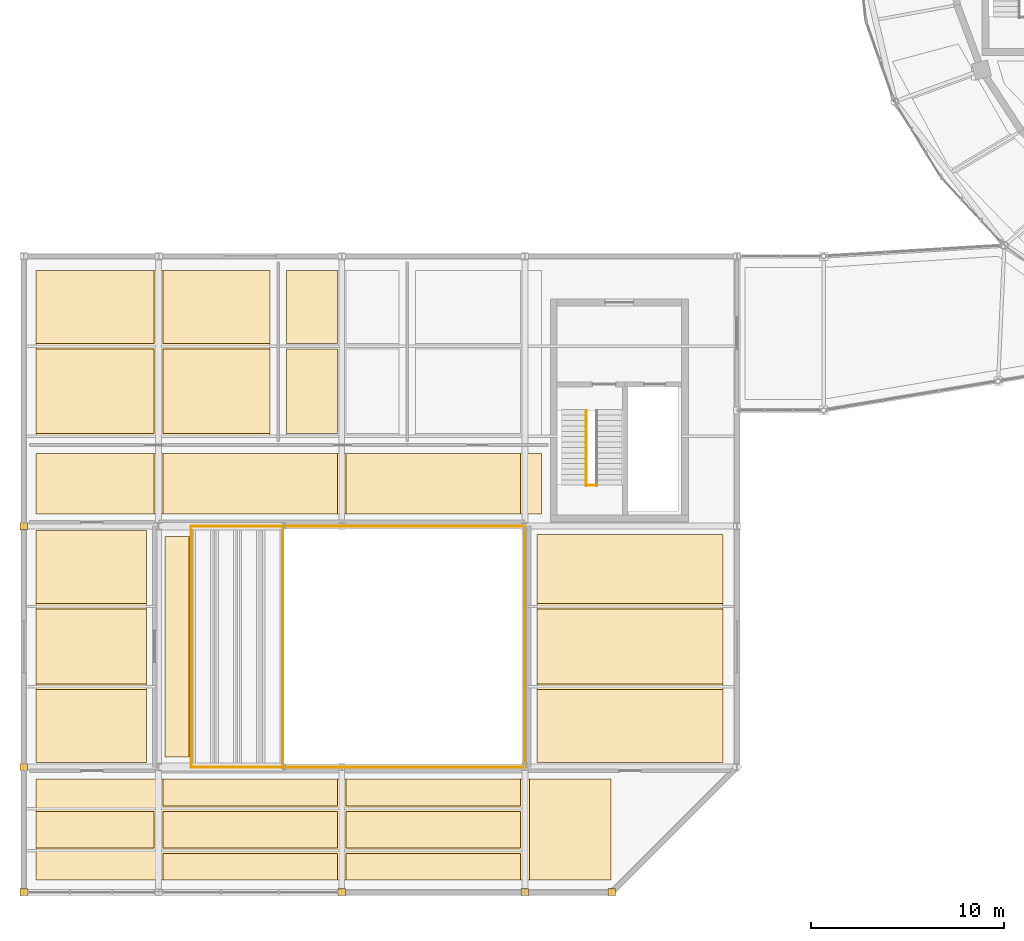
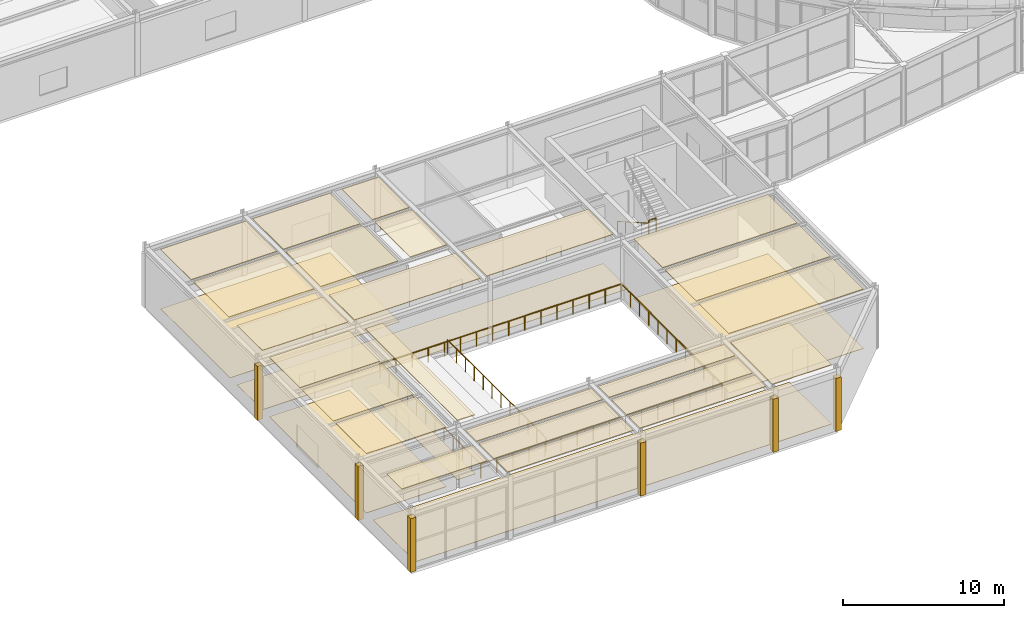
# One storey, part 88 of 100: 36 coverings, 7 railings.
"""IFC4 building model written with IfcOpenShell, lengths in metres."""

from ifc_helpers import new_model, si_unit, direction, frame, origin, origin_2d, place, context, subcontext, project, spatial, polyline, rectangle, circle, outline, extrude, material, layer, layer_set, type_object, element, save


model = new_model("IFC4")

# Units and contexts
model_context = context("Model", 3, precision=1e-05, world=origin(), true_north=direction((0.0, 1.0)))
body_context = subcontext(model_context, "Body", "Model", "MODEL_VIEW")
ifc_project = project(units=[si_unit("LENGTHUNIT", "METRE"), si_unit("AREAUNIT", "SQUARE_METRE"), si_unit("VOLUMEUNIT", "CUBIC_METRE"), si_unit("PLANEANGLEUNIT", "RADIAN"), si_unit("MASSUNIT", "GRAM", prefix="KILO")], contexts=[model_context])

# Site, building, storey
site_placement = place(None, origin())
site = spatial("IfcSite", under=ifc_project, at=site_placement, CompositionType="ELEMENT")
building_placement = place(site_placement, origin())
building = spatial("IfcBuilding", under=site, at=building_placement, Name="Tarnveldt Headland Concert Hall", CompositionType="ELEMENT")
storey_placement = place(building_placement, frame((0.0, 0.0, 4.800048828125)))
storey = spatial("IfcBuildingStorey", under=building, at=storey_placement, Name="L01", CompositionType="ELEMENT", Elevation=4.800048828125)

# Coverings
ifc_material_1 = material(Name="Micro-perforated mvule acoustic ceiling panel", Category="timber")
ifc_layer_1 = layer(ifc_material_1, 0.050048828125, Name="Micro-perforated mvule acoustic ceiling panel", Category="timber")
ifc_layer_set_1 = layer_set([ifc_layer_1], Name="Micro-perforated mvule acoustic ceiling panel")
covering_type_1 = type_object("IfcCoveringType", Name="CV-CEIL50", PredefinedType="CEILING", material=ifc_layer_set_1)
covering_1_placement = place(storey_placement, frame((0.0, 0.0, 4.489990234375)))
element("IfcCovering", 1, at=covering_1_placement, inside=storey, type_object=covering_type_1, Name="Acoustic mvule ceiling L01-15-156", PredefinedType="CEILING", context=body_context, shape_type="SweptSolid", body=[
    extrude(outline(polyline([(14.27001953125, 7.306884765625), (8.1298828125, 7.306884765625), (8.1298828125, 9.193115234375), (14.27001953125, 9.193115234375), (14.27001953125, 7.306884765625)])), origin(), (0.0, 0.0, 1.0), 0.050048828125),
])
covering_2_placement = place(storey_placement, frame((0.0, 0.0, 4.489990234375)))
element("IfcCovering", 2, at=covering_2_placement, inside=storey, type_object=covering_type_1, Name="Acoustic mvule ceiling L01-15-157", PredefinedType="CEILING", context=body_context, shape_type="SweptSolid", body=[
    extrude(outline(polyline([(14.72998046875, 7.027099609375), (23.77001953125, 7.027099609375), (23.77001953125, 5.6298828125), (14.72998046875, 5.6298828125), (14.72998046875, 7.027099609375)])), origin(), (0.0, 0.0, 1.0), 0.050048828125),
])
covering_3_placement = place(storey_placement, frame((0.0, 0.0, 4.489990234375)))
element("IfcCovering", 3, at=covering_3_placement, inside=storey, type_object=covering_type_1, Name="Acoustic mvule ceiling L01-15-158", PredefinedType="CEILING", context=body_context, shape_type="SweptSolid", body=[
    extrude(outline(polyline([(14.72998046875, 7.306884765625), (14.72998046875, 9.193115234375), (23.77001953125, 9.193115234375), (23.77001953125, 7.306884765625), (14.72998046875, 7.306884765625)])), origin(), (0.0, 0.0, 1.0), 0.050048828125),
])
covering_4_placement = place(storey_placement, frame((0.0, 0.0, 4.489990234375)))
element("IfcCovering", 4, at=covering_4_placement, inside=storey, type_object=covering_type_1, Name="Acoustic mvule ceiling L01-15-159", PredefinedType="CEILING", context=body_context, shape_type="SweptSolid", body=[
    extrude(outline(polyline([(14.72998046875, 9.472900390625), (14.72998046875, 10.8701171875), (23.77001953125, 10.8701171875), (23.77001953125, 9.472900390625), (14.72998046875, 9.472900390625)])), origin(), (0.0, 0.0, 1.0), 0.050048828125),
])
covering_5_placement = place(storey_placement, frame((0.0, 0.0, 4.489990234375)))
element("IfcCovering", 5, at=covering_5_placement, inside=storey, type_object=covering_type_1, Name="Acoustic mvule ceiling L01-15-160", PredefinedType="CEILING", context=body_context, shape_type="SweptSolid", body=[
    extrude(outline(polyline([(33.27001953125, 7.027099609375), (33.27001953125, 5.6298828125), (24.22998046875, 5.6298828125), (24.22998046875, 7.027099609375), (33.27001953125, 7.027099609375)])), origin(), (0.0, 0.0, 1.0), 0.050048828125),
])
covering_6_placement = place(storey_placement, frame((0.0, 0.0, 4.489990234375)))
element("IfcCovering", 6, at=covering_6_placement, inside=storey, type_object=covering_type_1, Name="Acoustic mvule ceiling L01-15-161", PredefinedType="CEILING", context=body_context, shape_type="SweptSolid", body=[
    extrude(outline(polyline([(24.22998046875, 9.193115234375), (33.27001953125, 9.193115234375), (33.27001953125, 7.306884765625), (24.22998046875, 7.306884765625), (24.22998046875, 9.193115234375)])), origin(), (0.0, 0.0, 1.0), 0.050048828125),
])
covering_7_placement = place(storey_placement, frame((0.0, 0.0, 4.489990234375)))
element("IfcCovering", 7, at=covering_7_placement, inside=storey, type_object=covering_type_1, Name="Acoustic mvule ceiling L01-15-162", PredefinedType="CEILING", context=body_context, shape_type="SweptSolid", body=[
    extrude(outline(polyline([(24.22998046875, 10.8701171875), (33.27001953125, 10.8701171875), (33.27001953125, 9.472900390625), (24.22998046875, 9.472900390625), (24.22998046875, 10.8701171875)])), origin(), (0.0, 0.0, 1.0), 0.050048828125),
])
covering_8_placement = place(storey_placement, frame((0.0, 0.0, 4.489990234375)))
element("IfcCovering", 8, at=covering_8_placement, inside=storey, type_object=covering_type_1, Name="Acoustic mvule ceiling L01-15-163", PredefinedType="CEILING", context=body_context, shape_type="SweptSolid", body=[
    extrude(outline(polyline([(37.969970703125, 5.6298828125), (33.72998046875, 5.6298828125), (33.72998046875, 10.8701171875), (37.969970703125, 10.8701171875), (37.969970703125, 5.6298828125)])), origin(), (0.0, 0.0, 1.0), 0.050048828125),
])
covering_9_placement = place(storey_placement, frame((0.0, 0.0, 4.489990234375)))
element("IfcCovering", 9, at=covering_9_placement, inside=storey, type_object=covering_type_1, Name="Acoustic mvule ceiling L01-16-164", PredefinedType="CEILING", context=body_context, shape_type="SweptSolid", body=[
    extrude(outline(polyline([(8.1298828125, 19.693115234375), (13.8701171875, 19.693115234375), (13.8701171875, 15.806884765625), (8.1298828125, 15.806884765625), (8.1298828125, 19.693115234375)])), origin(), (0.0, 0.0, 1.0), 0.050048828125),
])
covering_10_placement = place(storey_placement, frame((0.0, 0.0, 4.489990234375)))
element("IfcCovering", 10, at=covering_10_placement, inside=storey, type_object=covering_type_1, Name="Acoustic mvule ceiling L01-16-165", PredefinedType="CEILING", context=body_context, shape_type="SweptSolid", body=[
    extrude(outline(polyline([(13.8701171875, 23.77001953125), (13.8701171875, 19.972900390625), (8.1298828125, 19.972900390625), (8.1298828125, 23.77001953125), (13.8701171875, 23.77001953125)])), origin(), (0.0, 0.0, 1.0), 0.050048828125),
])
covering_11_placement = place(storey_placement, frame((0.0, 0.0, 4.489990234375)))
element("IfcCovering", 11, at=covering_11_placement, inside=storey, type_object=covering_type_1, Name="Acoustic mvule ceiling L01-16-166", PredefinedType="CEILING", context=body_context, shape_type="SweptSolid", body=[
    extrude(outline(polyline([(8.1298828125, 15.527099609375), (13.8701171875, 15.527099609375), (13.8701171875, 11.72998046875), (8.1298828125, 11.72998046875), (8.1298828125, 15.527099609375)])), origin(), (0.0, 0.0, 1.0), 0.050048828125),
])
covering_12_placement = place(storey_placement, frame((0.0, 0.0, 4.489990234375)))
element("IfcCovering", 12, at=covering_12_placement, inside=storey, type_object=covering_type_1, Name="Acoustic mvule ceiling L01-17-167", PredefinedType="CEILING", context=body_context, shape_type="SweptSolid", body=[
    extrude(outline(polyline([(34.1298828125, 19.972900390625), (34.1298828125, 23.570068359375), (43.77001953125, 23.570068359375), (43.77001953125, 19.972900390625), (34.1298828125, 19.972900390625)])), origin(), (0.0, 0.0, 1.0), 0.050048828125),
])
covering_13_placement = place(storey_placement, frame((0.0, 0.0, 4.489990234375)))
element("IfcCovering", 13, at=covering_13_placement, inside=storey, type_object=covering_type_1, Name="Acoustic mvule ceiling L01-17-168", PredefinedType="CEILING", context=body_context, shape_type="SweptSolid", body=[
    extrude(outline(polyline([(34.1298828125, 15.806884765625), (34.1298828125, 19.693115234375), (43.77001953125, 19.693115234375), (43.77001953125, 15.806884765625), (34.1298828125, 15.806884765625)])), origin(), (0.0, 0.0, 1.0), 0.050048828125),
])
covering_14_placement = place(storey_placement, frame((0.0, 0.0, 4.489990234375)))
element("IfcCovering", 14, at=covering_14_placement, inside=storey, type_object=covering_type_1, Name="Acoustic mvule ceiling L01-17-169", PredefinedType="CEILING", context=body_context, shape_type="SweptSolid", body=[
    extrude(outline(polyline([(34.1298828125, 15.527099609375), (43.77001953125, 15.527099609375), (43.77001953125, 11.72998046875), (34.1298828125, 11.72998046875), (34.1298828125, 15.527099609375)])), origin(), (0.0, 0.0, 1.0), 0.050048828125),
])
covering_15_placement = place(storey_placement, frame((0.0, 0.0, 4.489990234375)))
element("IfcCovering", 15, at=covering_15_placement, inside=storey, type_object=covering_type_1, Name="Acoustic mvule ceiling L01-18-170", PredefinedType="CEILING", context=body_context, shape_type="SweptSolid", body=[
    extrude(outline(polyline([(8.1298828125, 24.6298828125), (8.1298828125, 27.77001953125), (14.27001953125, 27.77001953125), (14.27001953125, 24.6298828125), (8.1298828125, 24.6298828125)])), origin(), (0.0, 0.0, 1.0), 0.050048828125),
])
covering_16_placement = place(storey_placement, frame((0.0, 0.0, 4.489990234375)))
element("IfcCovering", 16, at=covering_16_placement, inside=storey, type_object=covering_type_1, Name="Acoustic mvule ceiling L01-18-171", PredefinedType="CEILING", context=body_context, shape_type="SweptSolid", body=[
    extrude(outline(polyline([(24.22998046875, 27.77001953125), (33.27001953125, 27.77001953125), (33.27001953125, 24.6298828125), (24.22998046875, 24.6298828125), (24.22998046875, 27.77001953125)])), origin(), (0.0, 0.0, 1.0), 0.050048828125),
])
covering_17_placement = place(storey_placement, frame((0.0, 0.0, 4.489990234375)))
element("IfcCovering", 17, at=covering_17_placement, inside=storey, type_object=covering_type_1, Name="Acoustic mvule ceiling L01-18-172", PredefinedType="CEILING", context=body_context, shape_type="SweptSolid", body=[
    extrude(outline(polyline([(23.77001953125, 27.77001953125), (23.77001953125, 24.6298828125), (14.72998046875, 24.6298828125), (14.72998046875, 27.77001953125), (23.77001953125, 27.77001953125)])), origin(), (0.0, 0.0, 1.0), 0.050048828125),
])
covering_18_placement = place(storey_placement, frame((0.0, 0.0, 4.489990234375)))
element("IfcCovering", 18, at=covering_18_placement, inside=storey, type_object=covering_type_1, Name="Acoustic mvule ceiling L01-19-173", PredefinedType="CEILING", context=body_context, shape_type="SweptSolid", body=[
    extrude(outline(polyline([(20.27001953125, 33.472900390625), (14.72998046875, 33.472900390625), (14.72998046875, 37.27001953125), (20.27001953125, 37.27001953125), (20.27001953125, 33.472900390625)])), origin(), (0.0, 0.0, 1.0), 0.050048828125),
])
covering_19_placement = place(storey_placement, frame((0.0, 0.0, 4.489990234375)))
element("IfcCovering", 19, at=covering_19_placement, inside=storey, type_object=covering_type_1, Name="Acoustic mvule ceiling L01-19-174", PredefinedType="CEILING", context=body_context, shape_type="SweptSolid", body=[
    extrude(outline(polyline([(14.72998046875, 28.806884765625), (14.72998046875, 33.193115234375), (20.27001953125, 33.193115234375), (20.27001953125, 28.806884765625), (14.72998046875, 28.806884765625)])), origin(), (0.0, 0.0, 1.0), 0.050048828125),
])
covering_20_placement = place(storey_placement, frame((0.0, 0.0, 4.489990234375)))
element("IfcCovering", 20, at=covering_20_placement, inside=storey, type_object=covering_type_1, Name="Acoustic mvule ceiling L01-19-175", PredefinedType="CEILING", context=body_context, shape_type="SweptSolid", body=[
    extrude(outline(polyline([(14.27001953125, 28.806884765625), (8.1298828125, 28.806884765625), (8.1298828125, 33.193115234375), (14.27001953125, 33.193115234375), (14.27001953125, 28.806884765625)])), origin(), (0.0, 0.0, 1.0), 0.050048828125),
])
covering_21_placement = place(storey_placement, frame((0.0, 0.0, 4.489990234375)))
element("IfcCovering", 21, at=covering_21_placement, inside=storey, type_object=covering_type_1, Name="Acoustic mvule ceiling L01-19-176", PredefinedType="CEILING", context=body_context, shape_type="SweptSolid", body=[
    extrude(outline(polyline([(14.27001953125, 33.472900390625), (8.1298828125, 33.472900390625), (8.1298828125, 37.27001953125), (14.27001953125, 37.27001953125), (14.27001953125, 33.472900390625)])), origin(), (0.0, 0.0, 1.0), 0.050048828125),
])
covering_22_placement = place(storey_placement, frame((0.0, 0.0, 4.489990234375)))
element("IfcCovering", 22, at=covering_22_placement, inside=storey, type_object=covering_type_1, Name="Acoustic mvule ceiling L01-20-179", PredefinedType="CEILING", context=body_context, shape_type="SweptSolid", body=[
    extrude(outline(polyline([(23.77001953125, 28.806884765625), (21.1298828125, 28.806884765625), (21.1298828125, 33.193115234375), (23.77001953125, 33.193115234375), (23.77001953125, 28.806884765625)])), origin(), (0.0, 0.0, 1.0), 0.050048828125),
])
covering_23_placement = place(storey_placement, frame((0.0, 0.0, 4.489990234375)))
element("IfcCovering", 23, at=covering_23_placement, inside=storey, type_object=covering_type_1, Name="Acoustic mvule ceiling L01-20-180", PredefinedType="CEILING", context=body_context, shape_type="SweptSolid", body=[
    extrude(outline(polyline([(23.77001953125, 33.472900390625), (21.1298828125, 33.472900390625), (21.1298828125, 37.27001953125), (23.77001953125, 37.27001953125), (23.77001953125, 33.472900390625)])), origin(), (0.0, 0.0, 1.0), 0.050048828125),
])
ifc_layer_2 = layer(ifc_material_1, 0.06494140625, Name="Micro-perforated mvule acoustic ceiling panel", Category="timber")
ifc_layer_set_2 = layer_set([ifc_layer_2], Name="Micro-perforated mvule acoustic ceiling panel")
covering_type_2 = type_object("IfcCoveringType", Name="CV-CEIL65", PredefinedType="CEILING", material=ifc_layer_set_2)
covering_24_placement = place(storey_placement, frame((0.0, 0.0, 4.474853515625)))
element("IfcCovering", 24, at=covering_24_placement, inside=storey, type_object=covering_type_2, Name="Acoustic mvule ceiling L01-14-155", PredefinedType="CEILING", context=body_context, shape_type="SweptSolid", body=[
    extrude(outline(polyline([(14.830078125, 23.469970703125), (16.080078125, 23.469970703125), (16.080078125, 12.030029296875), (14.830078125, 12.030029296875), (14.830078125, 23.469970703125)])), origin(), (0.0, 0.0, 1.0), 0.065185546875),
])
ifc_material_2 = material(Name="Treated East African mvule hardwood", Category="wood")
ifc_layer_3 = layer(ifc_material_2, 0.028076171875, Name="Treated East African mvule hardwood", Category="wood")
ifc_layer_set_3 = layer_set([ifc_layer_3], Name="Treated East African mvule hardwood")
covering_type_3 = type_object("IfcCoveringType", Name="CV-FLOR28", PredefinedType="FLOORING", material=ifc_layer_set_3)
covering_25_placement = place(storey_placement, origin())
element("IfcCovering", 25, at=covering_25_placement, inside=storey, type_object=covering_type_3, Name="Architectural flooring L01-14-41", PredefinedType="FLOORING", context=body_context, shape_type="SweptSolid", body=[
    extrude(outline(polyline([(14.830078125, 23.469970703125), (16.1201171875, 23.469970703125), (16.1201171875, 12.030029296875), (14.830078125, 12.030029296875), (14.830078125, 23.469970703125)])), origin(), (0.0, 0.0, 1.0), 0.02783203125),
])
ifc_material_3 = material(Name="Polished coral-aggregate cementitious terrazzo flooring", Category="concrete")
ifc_layer_4 = layer(ifc_material_3, 0.034912109375, Name="Polished coral-aggregate cementitious terrazzo flooring", Category="concrete")
ifc_layer_set_4 = layer_set([ifc_layer_4], Name="Polished coral-aggregate cementitious terrazzo flooring")
covering_type_4 = type_object("IfcCoveringType", Name="CV-FLOR35", PredefinedType="FLOORING", material=ifc_layer_set_4)
covering_26_placement = place(storey_placement, origin())
element("IfcCovering", 26, at=covering_26_placement, inside=storey, type_object=covering_type_4, Name="Architectural flooring L01-15-42", PredefinedType="FLOORING", context=body_context, shape_type="SweptSolid", body=[
    extrude(outline(polyline([(8.1298828125, 10.8701171875), (37.969970703125, 10.8701171875), (37.969970703125, 5.6298828125), (8.1298828125, 5.6298828125), (8.1298828125, 10.8701171875)])), origin(), (0.0, 0.0, 1.0), 0.034912109375),
])
covering_27_placement = place(storey_placement, origin())
element("IfcCovering", 27, at=covering_27_placement, inside=storey, type_object=covering_type_4, Name="Architectural flooring L01-16-43", PredefinedType="FLOORING", context=body_context, shape_type="SweptSolid", body=[
    extrude(outline(polyline([(8.1298828125, 23.77001953125), (13.8701171875, 23.77001953125), (13.8701171875, 11.72998046875), (8.1298828125, 11.72998046875), (8.1298828125, 23.77001953125)])), origin(), (0.0, 0.0, 1.0), 0.034912109375),
])
covering_28_placement = place(storey_placement, origin())
element("IfcCovering", 28, at=covering_28_placement, inside=storey, type_object=covering_type_4, Name="Architectural flooring L01-17-44", PredefinedType="FLOORING", context=body_context, shape_type="SweptSolid", body=[
    extrude(outline(polyline([(34.1298828125, 23.570068359375), (43.77001953125, 23.570068359375), (43.77001953125, 11.72998046875), (34.1298828125, 11.72998046875), (34.1298828125, 23.570068359375)])), origin(), (0.0, 0.0, 1.0), 0.034912109375),
])
covering_29_placement = place(storey_placement, origin())
element("IfcCovering", 29, at=covering_29_placement, inside=storey, type_object=covering_type_4, Name="Architectural flooring L01-18-45", PredefinedType="FLOORING", context=body_context, shape_type="SweptSolid", body=[
    extrude(outline(polyline([(8.1298828125, 27.77001953125), (34.3701171875, 27.77001953125), (34.3701171875, 24.6298828125), (8.1298828125, 24.6298828125), (8.1298828125, 27.77001953125)])), origin(), (0.0, 0.0, 1.0), 0.034912109375),
])
covering_30_placement = place(storey_placement, origin())
element("IfcCovering", 30, at=covering_30_placement, inside=storey, type_object=covering_type_4, Name="Architectural flooring L01-19-46", PredefinedType="FLOORING", context=body_context, shape_type="SweptSolid", body=[
    extrude(outline(polyline([(8.1298828125, 37.27001953125), (20.27001953125, 37.27001953125), (20.27001953125, 28.6298828125), (8.1298828125, 28.6298828125), (8.1298828125, 37.27001953125)])), origin(), (0.0, 0.0, 1.0), 0.034912109375),
])
ifc_material_4 = material(Name="Coral-toned precast concrete C40/50", Category="concrete")
ifc_layer_5 = layer(ifc_material_4, 0.360107421875, Name="Coral-toned precast concrete C40/50", Category="concrete")
ifc_layer_set_5 = layer_set([ifc_layer_5], Name="Coral-toned precast concrete C40/50")
covering_type_5 = type_object("IfcCoveringType", Name="CV-JNT360", PredefinedType="CLADDING", material=ifc_layer_set_5)
for number, where, z_axis, x_axis, name in (
    (31, (7.5, 5.0, 0.0), (0.0, 0.0, 1.0), (0.0, 1.0, 0.0), "Precast facade joint closure pilaster L01-191"),
    (32, (7.5, 11.5, 0.0), (0.0, 0.0, 1.0), (0.0, 1.0, 0.0), "Precast facade joint closure pilaster L01-192"),
    (33, (7.5, 24.0, 0.0), (0.0, 0.0, 1.0), (0.0, 1.0, 0.0), "Precast facade joint closure pilaster L01-193"),
):
    element("IfcCovering", number, at=place(storey_placement, frame(where, z_axis=z_axis, x_axis=x_axis)), inside=storey, type_object=covering_type_5, Name=name, PredefinedType="CLADDING", context=body_context, shape_type="SweptSolid", body=[
        extrude(rectangle(XDim=0.3798828125, YDim=0.3798828125, at=origin_2d()), origin(), (0.0, 0.0, 1.0), 4.077880859375),
    ])
for number, where, z_axis, x_axis, name in (
    (34, (24.0, 5.0, 0.0), (0.0, 0.0, 1.0), (-1.0, 0.0, 0.0), "Precast facade joint closure pilaster L01-204"),
    (35, (33.5, 5.0, 0.0), (0.0, 0.0, 1.0), (-1.0, 0.0, 0.0), "Precast facade joint closure pilaster L01-208"),
    (36, (38.0, 5.0, 0.0), (0.0, 0.0, 1.0), (-1.0, 0.0, 0.0), "Precast facade joint closure pilaster L01-210"),
):
    element("IfcCovering", number, at=place(storey_placement, frame(where, z_axis=z_axis, x_axis=x_axis)), inside=storey, type_object=covering_type_5, Name=name, PredefinedType="CLADDING", context=body_context, shape_type="SweptSolid", body=[
        extrude(rectangle(XDim=0.3798828125, YDim=0.3798828125, at=origin_2d()), origin(), (0.0, 0.0, 1.0), 4.028076171875),
    ])

# Railings
ifc_material_5 = material(Name="Marine stainless steel", Category="steel")
ifc_layer_6 = layer(ifc_material_5, 0.06005859375, Name="Marine stainless steel", Category="steel")
ifc_layer_set_6 = layer_set([ifc_layer_6], Name="Marine stainless steel")
railing_type_1 = type_object("IfcRailingType", Name="RL-GRD110", PredefinedType="GUARDRAIL", material=ifc_layer_set_6)
railing_1_placement = place(storey_placement, frame((36.68994140625, 26.1201171875, 2.39990234375)))
element("IfcRailing", 37, at=railing_1_placement, inside=storey, type_object=railing_type_1, Name="GUARD STR-C5-L01 half-landing well", PredefinedType="GUARDRAIL", context=body_context, shape_type="SweptSolid", body=[
    extrude(circle(Radius=0.02392578125, at=origin_2d()), frame((0.0, 0.0, 1.076171875), z_axis=(1.0, 0.0, 0.0), x_axis=(0.0, 1.0, 0.0)), (0.0, 0.0, 1.0), 0.5400390625),
    extrude(circle(Radius=0.02099609375, at=origin_2d()), origin(), (0.0, 0.0, 1.0), 1.052001953125),
    extrude(circle(Radius=0.02099609375, at=origin_2d()), frame((0.5400390625, 0.0, 0.0)), (0.0, 0.0, 1.0), 1.052001953125),
])
railing_2_placement = place(storey_placement, frame((20.949951171875, 11.64990234375, 0.239990234375)))
element("IfcRailing", 38, at=railing_2_placement, inside=storey, type_object=railing_type_1, Name="GUARD Chamber balcony front guardrail", PredefinedType="GUARDRAIL", context=body_context, shape_type="SweptSolid", body=[
    extrude(circle(Radius=0.02392578125, at=origin_2d()), frame((0.0, 0.0, 1.076171875), z_axis=(0.0, 1.0, 0.0), x_axis=(-1.0, 0.0, 0.0)), (0.0, 0.0, 1.0), 12.2001953125),
    extrude(circle(Radius=0.02099609375, at=origin_2d()), origin(), (0.0, 0.0, 1.0), 1.052001953125),
    extrude(circle(Radius=0.02099609375, at=origin_2d()), frame((0.0, 1.109130859375, 0.0)), (0.0, 0.0, 1.0), 1.052001953125),
    extrude(circle(Radius=0.02099609375, at=origin_2d()), frame((0.0, 2.21826171875, 0.0)), (0.0, 0.0, 1.0), 1.052001953125),
    extrude(circle(Radius=0.02099609375, at=origin_2d()), frame((0.0, 3.327392578125, 0.0)), (0.0, 0.0, 1.0), 1.052001953125),
    extrude(circle(Radius=0.02099609375, at=origin_2d()), frame((0.0, 4.4365234375, 0.0)), (0.0, 0.0, 1.0), 1.052001953125),
    extrude(circle(Radius=0.02099609375, at=origin_2d()), frame((0.0, 5.545654296875, 0.0)), (0.0, 0.0, 1.0), 1.052001953125),
    extrude(circle(Radius=0.02099609375, at=origin_2d()), frame((0.0, 6.654541015625, 0.0)), (0.0, 0.0, 1.0), 1.052001953125),
    extrude(circle(Radius=0.02099609375, at=origin_2d()), frame((0.0, 7.763671875, 0.0)), (0.0, 0.0, 1.0), 1.052001953125),
    extrude(circle(Radius=0.02099609375, at=origin_2d()), frame((0.0, 8.872802734375, 0.0)), (0.0, 0.0, 1.0), 1.052001953125),
    extrude(circle(Radius=0.02099609375, at=origin_2d()), frame((0.0, 9.98193359375, 0.0)), (0.0, 0.0, 1.0), 1.052001953125),
    extrude(circle(Radius=0.02099609375, at=origin_2d()), frame((0.0, 11.091064453125, 0.0)), (0.0, 0.0, 1.0), 1.052001953125),
    extrude(circle(Radius=0.02099609375, at=origin_2d()), frame((0.0, 12.2001953125, 0.0)), (0.0, 0.0, 1.0), 1.052001953125),
])
railing_3_placement = place(storey_placement, frame((16.199951171875, 11.5, 0.0)))
element("IfcRailing", 39, at=railing_3_placement, inside=storey, type_object=railing_type_1, Name="GUARD Chamber void guardrail L01 1", PredefinedType="GUARDRAIL", context=body_context, shape_type="SweptSolid", body=[
    extrude(circle(Radius=0.02392578125, at=origin_2d()), frame((0.0, 0.0, 1.076171875), z_axis=(1.0, 0.0, 0.0), x_axis=(0.0, 1.0, 0.0)), (0.0, 0.0, 1.0), 17.300048828125),
    extrude(circle(Radius=0.02099609375, at=origin_2d()), origin(), (0.0, 0.0, 1.0), 1.052001953125),
    extrude(circle(Radius=0.02099609375, at=origin_2d()), frame((1.1533203125, 0.0, 0.0)), (0.0, 0.0, 1.0), 1.052001953125),
    extrude(circle(Radius=0.02099609375, at=origin_2d()), frame((2.306640625, 0.0, 0.0)), (0.0, 0.0, 1.0), 1.052001953125),
    extrude(circle(Radius=0.02099609375, at=origin_2d()), frame((3.4599609375, 0.0, 0.0)), (0.0, 0.0, 1.0), 1.052001953125),
    extrude(circle(Radius=0.02099609375, at=origin_2d()), frame((4.61328125, 0.0, 0.0)), (0.0, 0.0, 1.0), 1.052001953125),
    extrude(circle(Radius=0.02099609375, at=origin_2d()), frame((5.7666015625, 0.0, 0.0)), (0.0, 0.0, 1.0), 1.052001953125),
    extrude(circle(Radius=0.02099609375, at=origin_2d()), frame((6.919921875, 0.0, 0.0)), (0.0, 0.0, 1.0), 1.052001953125),
    extrude(circle(Radius=0.02099609375, at=origin_2d()), frame((8.0732421875, 0.0, 0.0)), (0.0, 0.0, 1.0), 1.052001953125),
    extrude(circle(Radius=0.02099609375, at=origin_2d()), frame((9.226806640625, 0.0, 0.0)), (0.0, 0.0, 1.0), 1.052001953125),
    extrude(circle(Radius=0.02099609375, at=origin_2d()), frame((10.380126953125, 0.0, 0.0)), (0.0, 0.0, 1.0), 1.052001953125),
    extrude(circle(Radius=0.02099609375, at=origin_2d()), frame((11.533447265625, 0.0, 0.0)), (0.0, 0.0, 1.0), 1.052001953125),
    extrude(circle(Radius=0.02099609375, at=origin_2d()), frame((12.686767578125, 0.0, 0.0)), (0.0, 0.0, 1.0), 1.052001953125),
    extrude(circle(Radius=0.02099609375, at=origin_2d()), frame((13.840087890625, 0.0, 0.0)), (0.0, 0.0, 1.0), 1.052001953125),
    extrude(circle(Radius=0.02099609375, at=origin_2d()), frame((14.993408203125, 0.0, 0.0)), (0.0, 0.0, 1.0), 1.052001953125),
    extrude(circle(Radius=0.02099609375, at=origin_2d()), frame((16.146728515625, 0.0, 0.0)), (0.0, 0.0, 1.0), 1.052001953125),
    extrude(circle(Radius=0.02099609375, at=origin_2d()), frame((17.300048828125, 0.0, 0.0)), (0.0, 0.0, 1.0), 1.052001953125),
])
railing_4_placement = place(storey_placement, frame((33.5, 11.5, 0.0)))
element("IfcRailing", 40, at=railing_4_placement, inside=storey, type_object=railing_type_1, Name="GUARD Chamber void guardrail L01 2", PredefinedType="GUARDRAIL", context=body_context, shape_type="SweptSolid", body=[
    extrude(circle(Radius=0.02392578125, at=origin_2d()), frame((0.0, 0.0, 1.076171875), z_axis=(0.0, 1.0, 0.0), x_axis=(-1.0, 0.0, 0.0)), (0.0, 0.0, 1.0), 12.5),
    extrude(circle(Radius=0.02099609375, at=origin_2d()), origin(), (0.0, 0.0, 1.0), 1.052001953125),
    extrude(circle(Radius=0.02099609375, at=origin_2d()), frame((0.0, 1.136474609375, 0.0)), (0.0, 0.0, 1.0), 1.052001953125),
    extrude(circle(Radius=0.02099609375, at=origin_2d()), frame((0.0, 2.272705078125, 0.0)), (0.0, 0.0, 1.0), 1.052001953125),
    extrude(circle(Radius=0.02099609375, at=origin_2d()), frame((0.0, 3.4091796875, 0.0)), (0.0, 0.0, 1.0), 1.052001953125),
    extrude(circle(Radius=0.02099609375, at=origin_2d()), frame((0.0, 4.54541015625, 0.0)), (0.0, 0.0, 1.0), 1.052001953125),
    extrude(circle(Radius=0.02099609375, at=origin_2d()), frame((0.0, 5.681884765625, 0.0)), (0.0, 0.0, 1.0), 1.052001953125),
    extrude(circle(Radius=0.02099609375, at=origin_2d()), frame((0.0, 6.818115234375, 0.0)), (0.0, 0.0, 1.0), 1.052001953125),
    extrude(circle(Radius=0.02099609375, at=origin_2d()), frame((0.0, 7.95458984375, 0.0)), (0.0, 0.0, 1.0), 1.052001953125),
    extrude(circle(Radius=0.02099609375, at=origin_2d()), frame((0.0, 9.0908203125, 0.0)), (0.0, 0.0, 1.0), 1.052001953125),
    extrude(circle(Radius=0.02099609375, at=origin_2d()), frame((0.0, 10.227294921875, 0.0)), (0.0, 0.0, 1.0), 1.052001953125),
    extrude(circle(Radius=0.02099609375, at=origin_2d()), frame((0.0, 11.363525390625, 0.0)), (0.0, 0.0, 1.0), 1.052001953125),
    extrude(circle(Radius=0.02099609375, at=origin_2d()), frame((0.0, 12.5, 0.0)), (0.0, 0.0, 1.0), 1.052001953125),
])
railing_5_placement = place(storey_placement, frame((33.5, 24.0, 0.0)))
element("IfcRailing", 41, at=railing_5_placement, inside=storey, type_object=railing_type_1, Name="GUARD Chamber void guardrail L01 3", PredefinedType="GUARDRAIL", context=body_context, shape_type="SweptSolid", body=[
    extrude(circle(Radius=0.02392578125, at=origin_2d()), frame((0.0, 0.0, 1.076171875), z_axis=(-1.0, 0.0, 0.0), x_axis=(0.0, -1.0, 0.0)), (0.0, 0.0, 1.0), 17.300048828125),
    extrude(circle(Radius=0.02099609375, at=origin_2d()), origin(), (0.0, 0.0, 1.0), 1.052001953125),
    extrude(circle(Radius=0.02099609375, at=origin_2d()), frame((-1.1533203125, 0.0, 0.0)), (0.0, 0.0, 1.0), 1.052001953125),
    extrude(circle(Radius=0.02099609375, at=origin_2d()), frame((-2.306640625, 0.0, 0.0)), (0.0, 0.0, 1.0), 1.052001953125),
    extrude(circle(Radius=0.02099609375, at=origin_2d()), frame((-3.4599609375, 0.0, 0.0)), (0.0, 0.0, 1.0), 1.052001953125),
    extrude(circle(Radius=0.02099609375, at=origin_2d()), frame((-4.61328125, 0.0, 0.0)), (0.0, 0.0, 1.0), 1.052001953125),
    extrude(circle(Radius=0.02099609375, at=origin_2d()), frame((-5.7666015625, 0.0, 0.0)), (0.0, 0.0, 1.0), 1.052001953125),
    extrude(circle(Radius=0.02099609375, at=origin_2d()), frame((-6.919921875, 0.0, 0.0)), (0.0, 0.0, 1.0), 1.052001953125),
    extrude(circle(Radius=0.02099609375, at=origin_2d()), frame((-8.0732421875, 0.0, 0.0)), (0.0, 0.0, 1.0), 1.052001953125),
    extrude(circle(Radius=0.02099609375, at=origin_2d()), frame((-9.226806640625, 0.0, 0.0)), (0.0, 0.0, 1.0), 1.052001953125),
    extrude(circle(Radius=0.02099609375, at=origin_2d()), frame((-10.380126953125, 0.0, 0.0)), (0.0, 0.0, 1.0), 1.052001953125),
    extrude(circle(Radius=0.02099609375, at=origin_2d()), frame((-11.533447265625, 0.0, 0.0)), (0.0, 0.0, 1.0), 1.052001953125),
    extrude(circle(Radius=0.02099609375, at=origin_2d()), frame((-12.686767578125, 0.0, 0.0)), (0.0, 0.0, 1.0), 1.052001953125),
    extrude(circle(Radius=0.02099609375, at=origin_2d()), frame((-13.840087890625, 0.0, 0.0)), (0.0, 0.0, 1.0), 1.052001953125),
    extrude(circle(Radius=0.02099609375, at=origin_2d()), frame((-14.993408203125, 0.0, 0.0)), (0.0, 0.0, 1.0), 1.052001953125),
    extrude(circle(Radius=0.02099609375, at=origin_2d()), frame((-16.146728515625, 0.0, 0.0)), (0.0, 0.0, 1.0), 1.052001953125),
    extrude(circle(Radius=0.02099609375, at=origin_2d()), frame((-17.300048828125, 0.0, 0.0)), (0.0, 0.0, 1.0), 1.052001953125),
])
railing_6_placement = place(storey_placement, frame((16.199951171875, 24.0, 0.0)))
element("IfcRailing", 42, at=railing_6_placement, inside=storey, type_object=railing_type_1, Name="GUARD Chamber void guardrail L01 4", PredefinedType="GUARDRAIL", context=body_context, shape_type="SweptSolid", body=[
    extrude(circle(Radius=0.02392578125, at=origin_2d()), frame((0.0, 0.0, 1.076171875), z_axis=(0.0, -1.0, 0.0), x_axis=(1.0, 0.0, 0.0)), (0.0, 0.0, 1.0), 12.5),
    extrude(circle(Radius=0.02099609375, at=origin_2d()), origin(), (0.0, 0.0, 1.0), 1.052001953125),
    extrude(circle(Radius=0.02099609375, at=origin_2d()), frame((0.0, -1.136474609375, 0.0)), (0.0, 0.0, 1.0), 1.052001953125),
    extrude(circle(Radius=0.02099609375, at=origin_2d()), frame((0.0, -2.272705078125, 0.0)), (0.0, 0.0, 1.0), 1.052001953125),
    extrude(circle(Radius=0.02099609375, at=origin_2d()), frame((0.0, -3.4091796875, 0.0)), (0.0, 0.0, 1.0), 1.052001953125),
    extrude(circle(Radius=0.02099609375, at=origin_2d()), frame((0.0, -4.54541015625, 0.0)), (0.0, 0.0, 1.0), 1.052001953125),
    extrude(circle(Radius=0.02099609375, at=origin_2d()), frame((0.0, -5.681884765625, 0.0)), (0.0, 0.0, 1.0), 1.052001953125),
    extrude(circle(Radius=0.02099609375, at=origin_2d()), frame((0.0, -6.818115234375, 0.0)), (0.0, 0.0, 1.0), 1.052001953125),
    extrude(circle(Radius=0.02099609375, at=origin_2d()), frame((0.0, -7.95458984375, 0.0)), (0.0, 0.0, 1.0), 1.052001953125),
    extrude(circle(Radius=0.02099609375, at=origin_2d()), frame((0.0, -9.0908203125, 0.0)), (0.0, 0.0, 1.0), 1.052001953125),
    extrude(circle(Radius=0.02099609375, at=origin_2d()), frame((0.0, -10.227294921875, 0.0)), (0.0, 0.0, 1.0), 1.052001953125),
    extrude(circle(Radius=0.02099609375, at=origin_2d()), frame((0.0, -11.363525390625, 0.0)), (0.0, 0.0, 1.0), 1.052001953125),
    extrude(circle(Radius=0.02099609375, at=origin_2d()), frame((0.0, -12.5, 0.0)), (0.0, 0.0, 1.0), 1.052001953125),
])
ifc_layer_7 = layer(ifc_material_5, 0.048095703125, Name="Marine stainless steel", Category="steel")
ifc_layer_set_7 = layer_set([ifc_layer_7], Name="Marine stainless steel")
railing_type_2 = type_object("IfcRailingType", Name="RL-HND092", PredefinedType="HANDRAIL", material=ifc_layer_set_7)
railing_7_placement = place(storey_placement, frame((36.68994140625, 30.0, 0.159912109375)))
element("IfcRailing", 43, at=railing_7_placement, inside=storey, type_object=railing_type_2, Name="HANDRAIL STR-C5-L01 flight 1", PredefinedType="HANDRAIL", context=body_context, shape_type="SweptSolid", body=[
    extrude(circle(Radius=0.02392578125, at=origin_2d()), frame((0.0, 0.0, 0.89599609375), z_axis=(0.0, -0.868239814368, 0.496144761885), x_axis=(1.0, 0.0, 0.0)), (0.0, 0.0, 1.0), 4.514892578125),
    extrude(circle(Radius=0.02099609375, at=origin_2d()), origin(), (0.0, 0.0, 1.0), 0.871826171875),
    extrude(circle(Radius=0.02099609375, at=origin_2d()), frame((0.0, -0.97998046875, 0.56005859375)), (0.0, 0.0, 1.0), 0.871826171875),
    extrude(circle(Radius=0.02099609375, at=origin_2d()), frame((0.0, -1.9599609375, 1.1201171875)), (0.0, 0.0, 1.0), 0.871826171875),
    extrude(circle(Radius=0.02099609375, at=origin_2d()), frame((0.0, -2.93994140625, 1.679931640625)), (0.0, 0.0, 1.0), 0.871826171875),
    extrude(circle(Radius=0.02099609375, at=origin_2d()), frame((0.0, -3.919921875, 2.239990234375)), (0.0, 0.0, 1.0), 0.871826171875),
])

save(model, "model.ifc")
